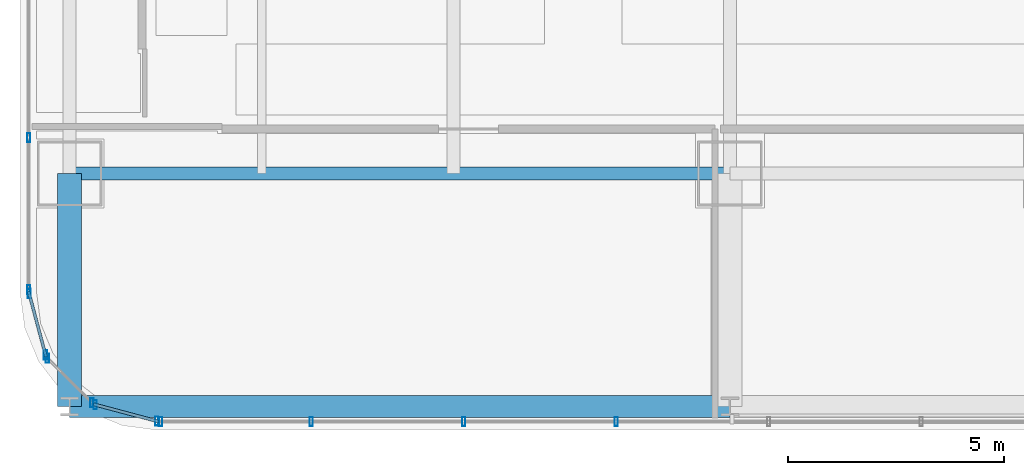
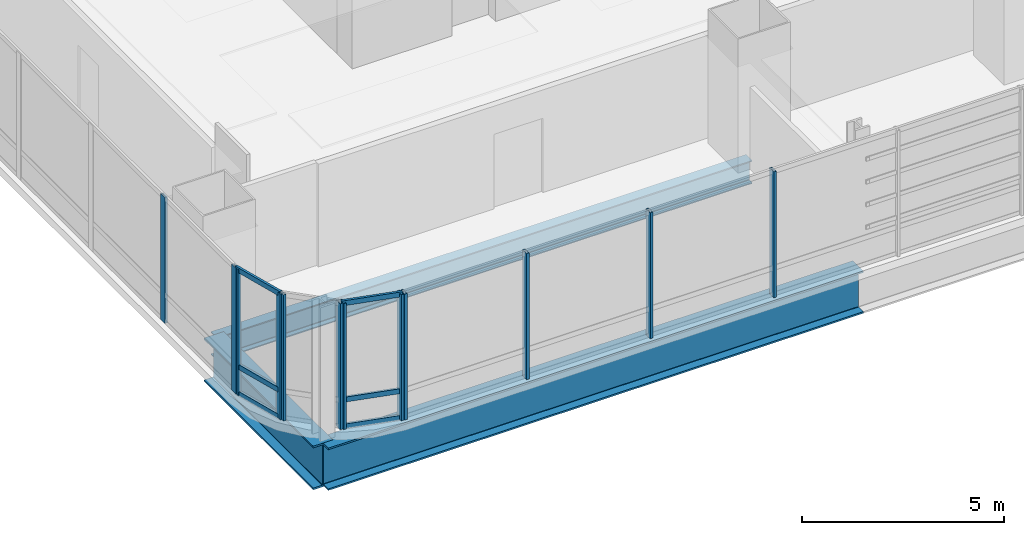
# One storey, part 2 of 35: 18 members, 3 beams, 5 elements without a shape of their own.
"""IFC4 building model written with IfcOpenShell, lengths in metres."""

from ifc_helpers import new_model, si_unit, direction, frame, origin, origin_2d, place, context, subcontext, project, spatial, hollow_rectangle, i_section, extrude, material, material_profile, profile_set, type_object, element, aggregate, save


model = new_model("IFC4")

# Units and contexts
model_context = context("Model", 3, precision=1e-05, world=origin(), true_north=direction((0.0, 1.0)))
body_context = subcontext(model_context, "Body", "Model", "MODEL_VIEW")
ifc_project = project(units=[si_unit("LENGTHUNIT", "METRE"), si_unit("AREAUNIT", "SQUARE_METRE"), si_unit("VOLUMEUNIT", "CUBIC_METRE"), si_unit("PLANEANGLEUNIT", "RADIAN"), si_unit("MASSUNIT", "GRAM", prefix="KILO")], contexts=[model_context])

# Site, building, storey
site_placement = place(None, origin())
site = spatial("IfcSite", under=ifc_project, at=site_placement, CompositionType="ELEMENT")
building_placement = place(site_placement, origin())
building = spatial("IfcBuilding", under=site, at=building_placement, Name="Punatoya Terracotta Tower", CompositionType="ELEMENT")
storey_placement = place(building_placement, frame((0.0, 0.0, 68.699951171875)))
storey = spatial("IfcBuildingStorey", under=building, at=storey_placement, Name="L15", CompositionType="ELEMENT", Elevation=68.699951171875)

# Beams
ifc_material_1 = material(Name="Steel S355", Category="steel")
ifc_material_profile_1 = material_profile(ifc_material_1, i_section(OverallWidth=0.300048828125, OverallDepth=0.699951171875, WebThickness=0.01708984375, FlangeThickness=0.031982421875, FilletRadius=0.01806640625, at=origin_2d()))
ifc_profile_set_1 = profile_set([ifc_material_profile_1], Name="Steel S355")
beam_type_1 = type_object("IfcBeamType", Name="BM-PRI-700", PredefinedType="BEAM", material=ifc_profile_set_1)
beam_1_placement = place(storey_placement, frame((-19.10009765625, -17.5, -0.58984375), z_axis=(1.0, 0.0, 0.0), x_axis=(0.0, 1.0, 0.0)))
element("IfcBeam", 1, at=beam_1_placement, inside=storey, type_object=beam_type_1, Name="BM-L15-RG-S1", PredefinedType="BEAM", context=body_context, shape_type="SweptSolid", body=[
    extrude(i_section(OverallWidth=0.300048828125, OverallDepth=0.699951171875, WebThickness=0.01708984375, FlangeThickness=0.031982421875, FilletRadius=0.01806640625, at=origin_2d()), origin(), (0.0, 0.0, 1.0), 15.300048828125),
])
ifc_material_2 = material(Name="Steel S460", Category="steel")
ifc_material_profile_2 = material_profile(ifc_material_2, i_section(OverallWidth=0.56005859375, OverallDepth=1.320068359375, WebThickness=0.035888671875, FlangeThickness=0.054931640625, FilletRadius=0.01806640625, at=origin_2d()))
ifc_profile_set_2 = profile_set([ifc_material_profile_2], Name="Steel S460")
beam_type_2 = type_object("IfcBeamType", Name="BM-TG-BLK", PredefinedType="BEAM", material=ifc_profile_set_2)
beam_2_placement = place(storey_placement, frame((-19.10009765625, -22.89990234375, -0.89990234375), z_axis=(0.0, 1.0, 0.0), x_axis=(-1.0, 0.0, 0.0)))
element("IfcBeam", 2, at=beam_2_placement, inside=storey, type_object=beam_type_2, Name="BM-L15-CANT-S1", PredefinedType="BEAM", context=body_context, shape_type="SweptSolid", body=[
    extrude(i_section(OverallWidth=0.56005859375, OverallDepth=1.320068359375, WebThickness=0.035888671875, FlangeThickness=0.054931640625, FilletRadius=0.01806640625, at=origin_2d()), origin(), (0.0, 0.0, 1.0), 5.39990234375),
])
ifc_material_profile_3 = material_profile(ifc_material_2, i_section(OverallWidth=0.52001953125, OverallDepth=1.280029296875, WebThickness=0.031982421875, FlangeThickness=0.050048828125, FilletRadius=0.01806640625, at=origin_2d()))
ifc_profile_set_3 = profile_set([ifc_material_profile_3], Name="Steel S460")
beam_type_3 = type_object("IfcBeamType", Name="BM-TG-NCK", PredefinedType="BEAM", material=ifc_profile_set_3)
beam_3_placement = place(storey_placement, frame((-19.10009765625, -22.89990234375, -0.8798828125), z_axis=(1.0, 0.0, 0.0), x_axis=(0.0, 1.0, 0.0)))
element("IfcBeam", 3, at=beam_3_placement, inside=storey, type_object=beam_type_3, Name="BM-L15-PER-S1", PredefinedType="BEAM", context=body_context, shape_type="SweptSolid", body=[
    extrude(i_section(OverallWidth=0.52001953125, OverallDepth=1.280029296875, WebThickness=0.031982421875, FlangeThickness=0.050048828125, FilletRadius=0.01806640625, at=origin_2d()), origin(), (0.0, 0.0, 1.0), 15.300048828125),
])

# Curtain wall, members
ifc_material_3 = material(Name="Aluminium 6063-T6 + Double Low-E Glass", Category="aluminium")
curtain_wall_type = type_object("IfcCurtainWallType", Name="CW-M1", PredefinedType="NOTDEFINED", material=ifc_material_3)
curtain_wall_1_placement = place(storey_placement, origin())
curtain_wall_1 = element("IfcCurtainWall", 4, at=curtain_wall_1_placement, inside=storey, type_object=curtain_wall_type, Name="L15 Curtain Wall CW-L15-S01-1", PredefinedType="NOTDEFINED")
ifc_material_4 = material(Name="Aluminium 6063-T6", Category="aluminium")
ifc_material_profile_4 = material_profile(ifc_material_4, hollow_rectangle(XDim=0.074951171875, YDim=0.2099609375, WallThickness=0.00439453125, at=origin_2d()))
ifc_profile_set_4 = profile_set([ifc_material_profile_4], Name="Aluminium 6063-T6")
member_type_1 = type_object("IfcMemberType", Name="CW-MUL-M1", PredefinedType="MULLION", material=ifc_profile_set_4)
member_1_placement = place(storey_placement, frame((-16.991943359375, -23.25, 0.0), z_axis=(0.0, 0.0, 1.0), x_axis=(1.0, 0.0, 0.0)))
member_1 = element("IfcMember", 5, at=member_1_placement, type_object=member_type_1, Name="CW-L15-S01-1 Mullion 00", PredefinedType="MULLION", context=body_context, shape_type="SweptSolid", body=[
    extrude(hollow_rectangle(XDim=0.074951171875, YDim=0.2099609375, WallThickness=0.00439453125, at=origin_2d()), origin(), (0.0, 0.0, 1.0), 3.81005859375),
])
member_2_placement = place(storey_placement, frame((-13.5029296875, -23.25, 0.0), z_axis=(0.0, 0.0, 1.0), x_axis=(1.0, 0.0, 0.0)))
member_2 = element("IfcMember", 6, at=member_2_placement, type_object=member_type_1, Name="CW-L15-S01-1 Mullion 01", PredefinedType="MULLION", context=body_context, shape_type="SweptSolid", body=[
    extrude(hollow_rectangle(XDim=0.074951171875, YDim=0.2099609375, WallThickness=0.00439453125, at=origin_2d()), origin(), (0.0, 0.0, 1.0), 3.81005859375),
])
member_3_placement = place(storey_placement, frame((-9.968994140625, -23.25, 0.0), z_axis=(0.0, 0.0, 1.0), x_axis=(1.0, 0.0, 0.0)))
member_3 = element("IfcMember", 7, at=member_3_placement, type_object=member_type_1, Name="CW-L15-S01-1 Mullion 02", PredefinedType="MULLION", context=body_context, shape_type="SweptSolid", body=[
    extrude(hollow_rectangle(XDim=0.074951171875, YDim=0.2099609375, WallThickness=0.00439453125, at=origin_2d()), origin(), (0.0, 0.0, 1.0), 3.81005859375),
])
member_4_placement = place(storey_placement, frame((-6.43505859375, -23.25, 0.0), z_axis=(0.0, 0.0, 1.0), x_axis=(1.0, 0.0, 0.0)))
member_4 = element("IfcMember", 8, at=member_4_placement, type_object=member_type_1, Name="CW-L15-S01-1 Mullion 03", PredefinedType="MULLION", context=body_context, shape_type="SweptSolid", body=[
    extrude(hollow_rectangle(XDim=0.074951171875, YDim=0.2099609375, WallThickness=0.00439453125, at=origin_2d()), origin(), (0.0, 0.0, 1.0), 3.81005859375),
])
aggregate(curtain_wall_1, [member_1, member_2, member_3, member_4])

curtain_wall_2_placement = place(storey_placement, origin())
curtain_wall_2 = element("IfcCurtainWall", 9, at=curtain_wall_2_placement, inside=storey, type_object=curtain_wall_type, Name="L15 Curtain Wall CW-L15-W13-1", PredefinedType="NOTDEFINED")
member_5_placement = place(storey_placement, frame((-20.050048828125, -16.66943359375, 0.0), z_axis=(0.0, 0.0, 1.0), x_axis=(1.0, 0.0, 0.0)))
member_5 = element("IfcMember", 10, at=member_5_placement, type_object=member_type_1, Name="CW-L15-W13-1 Mullion 09", PredefinedType="MULLION", context=body_context, shape_type="SweptSolid", body=[
    extrude(hollow_rectangle(XDim=0.074951171875, YDim=0.2099609375, WallThickness=0.00439453125, at=origin_2d()), origin(), (0.0, 0.0, 1.0), 3.81005859375),
])
member_6_placement = place(storey_placement, frame((-20.050048828125, -20.19189453125, 0.0), z_axis=(0.0, 0.0, 1.0), x_axis=(1.0, 0.0, 0.0)))
member_6 = element("IfcMember", 11, at=member_6_placement, type_object=member_type_1, Name="CW-L15-W13-1 Mullion 10", PredefinedType="MULLION", context=body_context, shape_type="SweptSolid", body=[
    extrude(hollow_rectangle(XDim=0.074951171875, YDim=0.2099609375, WallThickness=0.00439453125, at=origin_2d()), origin(), (0.0, 0.0, 1.0), 3.81005859375),
])
aggregate(curtain_wall_2, [member_5, member_6])

curtain_wall_3_placement = place(storey_placement, origin())
curtain_wall_3 = element("IfcCurtainWall", 12, at=curtain_wall_3_placement, inside=storey, type_object=curtain_wall_type, Name="L15 Curtain Wall CW-L15-CRN14", PredefinedType="NOTDEFINED")
member_7_placement = place(storey_placement, frame((-20.038330078125, -20.280517578125, 0.0), z_axis=(0.0, 0.0, 1.0), x_axis=(1.0, 0.0, 0.0)))
member_7 = element("IfcMember", 13, at=member_7_placement, type_object=member_type_1, Name="CW-L15-CRN14 Mullion 00", PredefinedType="MULLION", context=body_context, shape_type="SweptSolid", body=[
    extrude(hollow_rectangle(XDim=0.074951171875, YDim=0.2099609375, WallThickness=0.00439453125, at=origin_2d()), origin(), (0.0, 0.0, 1.0), 3.81005859375),
])
member_8_placement = place(storey_placement, frame((-19.658203125, -21.70556640625, 0.0), z_axis=(0.0, 0.0, 1.0), x_axis=(1.0, 0.0, 0.0)))
member_8 = element("IfcMember", 14, at=member_8_placement, type_object=member_type_1, Name="CW-L15-CRN14 Mullion 01", PredefinedType="MULLION", context=body_context, shape_type="SweptSolid", body=[
    extrude(hollow_rectangle(XDim=0.074951171875, YDim=0.2099609375, WallThickness=0.00439453125, at=origin_2d()), origin(), (0.0, 0.0, 1.0), 3.81005859375),
])

curtain_wall_4_placement = place(storey_placement, origin())
curtain_wall_4 = element("IfcCurtainWall", 15, at=curtain_wall_4_placement, inside=storey, type_object=curtain_wall_type, Name="L15 Curtain Wall CW-L15-CRN15", PredefinedType="NOTDEFINED")
member_9_placement = place(storey_placement, frame((-19.61474609375, -21.781005859375, 0.0), z_axis=(0.0, 0.0, 1.0), x_axis=(1.0, 0.0, 0.0)))
member_9 = element("IfcMember", 16, at=member_9_placement, type_object=member_type_1, Name="CW-L15-CRN15 Mullion 00", PredefinedType="MULLION", context=body_context, shape_type="SweptSolid", body=[
    extrude(hollow_rectangle(XDim=0.074951171875, YDim=0.2099609375, WallThickness=0.00439453125, at=origin_2d()), origin(), (0.0, 0.0, 1.0), 3.81005859375),
])
member_10_placement = place(storey_placement, frame((-18.580810546875, -22.814697265625, 0.0), z_axis=(0.0, 0.0, 1.0), x_axis=(1.0, 0.0, 0.0)))
member_10 = element("IfcMember", 17, at=member_10_placement, type_object=member_type_1, Name="CW-L15-CRN15 Mullion 01", PredefinedType="MULLION", context=body_context, shape_type="SweptSolid", body=[
    extrude(hollow_rectangle(XDim=0.074951171875, YDim=0.2099609375, WallThickness=0.00439453125, at=origin_2d()), origin(), (0.0, 0.0, 1.0), 3.81005859375),
])
aggregate(curtain_wall_4, [member_9, member_10])

curtain_wall_5_placement = place(storey_placement, origin())
curtain_wall_5 = element("IfcCurtainWall", 18, at=curtain_wall_5_placement, inside=storey, type_object=curtain_wall_type, Name="L15 Curtain Wall CW-L15-CRN16", PredefinedType="NOTDEFINED")
member_11_placement = place(storey_placement, frame((-18.505615234375, -22.858154296875, 0.0), z_axis=(0.0, 0.0, 1.0), x_axis=(1.0, 0.0, 0.0)))
member_11 = element("IfcMember", 19, at=member_11_placement, type_object=member_type_1, Name="CW-L15-CRN16 Mullion 00", PredefinedType="MULLION", context=body_context, shape_type="SweptSolid", body=[
    extrude(hollow_rectangle(XDim=0.074951171875, YDim=0.2099609375, WallThickness=0.00439453125, at=origin_2d()), origin(), (0.0, 0.0, 1.0), 3.81005859375),
])
member_12_placement = place(storey_placement, frame((-17.080322265625, -23.23828125, 0.0), z_axis=(0.0, 0.0, 1.0), x_axis=(1.0, 0.0, 0.0)))
member_12 = element("IfcMember", 20, at=member_12_placement, type_object=member_type_1, Name="CW-L15-CRN16 Mullion 01", PredefinedType="MULLION", context=body_context, shape_type="SweptSolid", body=[
    extrude(hollow_rectangle(XDim=0.074951171875, YDim=0.2099609375, WallThickness=0.00439453125, at=origin_2d()), origin(), (0.0, 0.0, 1.0), 3.81005859375),
])

# Member
ifc_material_profile_5 = material_profile(ifc_material_4, hollow_rectangle(XDim=0.068115234375, YDim=0.14990234375, WallThickness=0.00390625, at=origin_2d()))
ifc_profile_set_5 = profile_set([ifc_material_profile_5], Name="Aluminium 6063-T6")
member_type_2 = type_object("IfcMemberType", Name="CW-TRN-TYP", PredefinedType="USERDEFINED", material=ifc_profile_set_5)
member_13_placement = place(storey_placement, frame((-20.050048828125, -20.23681640625, 0.0400390625), z_axis=(0.257847112249, -0.966185730957, 0.0), x_axis=(0.966185730957, 0.257847112249, 0.0)))
member_13 = element("IfcMember", 21, at=member_13_placement, type_object=member_type_2, Name="CW-L15-CRN14 Transom 1", ObjectType="TRANSOM", PredefinedType="USERDEFINED", context=body_context, shape_type="SweptSolid", body=[
    extrude(hollow_rectangle(XDim=0.068115234375, YDim=0.14990234375, WallThickness=0.00390625, at=origin_2d()), origin(), (0.0, 0.0, 1.0), 1.565185546875),
])

member_14_placement = place(storey_placement, frame((-20.050048828125, -20.23681640625, 0.85009765625), z_axis=(0.257847112249, -0.966185730957, 0.0), x_axis=(0.966185730957, 0.257847112249, 0.0)))
member_14 = element("IfcMember", 22, at=member_14_placement, type_object=member_type_2, Name="CW-L15-CRN14 Transom 2", ObjectType="TRANSOM", PredefinedType="USERDEFINED", context=body_context, shape_type="SweptSolid", body=[
    extrude(hollow_rectangle(XDim=0.068115234375, YDim=0.14990234375, WallThickness=0.00390625, at=origin_2d()), origin(), (0.0, 0.0, 1.0), 1.565185546875),
])

member_15_placement = place(storey_placement, frame((-20.050048828125, -20.23681640625, 3.77001953125), z_axis=(0.257847112249, -0.966185730957, 0.0), x_axis=(0.966185730957, 0.257847112249, 0.0)))
member_15 = element("IfcMember", 23, at=member_15_placement, type_object=member_type_2, Name="CW-L15-CRN14 Transom 3", ObjectType="TRANSOM", PredefinedType="USERDEFINED", context=body_context, shape_type="SweptSolid", body=[
    extrude(hollow_rectangle(XDim=0.068115234375, YDim=0.14990234375, WallThickness=0.00390625, at=origin_2d()), origin(), (0.0, 0.0, 1.0), 1.565185546875),
])

aggregate(curtain_wall_3, [member_7, member_8, member_13, member_14, member_15])

member_16_placement = place(storey_placement, frame((-18.549072265625, -22.8466796875, 0.0400390625), z_axis=(0.966224582397, -0.257701486942, 0.0), x_axis=(0.257701486942, 0.966224582397, 0.0)))
member_16 = element("IfcMember", 24, at=member_16_placement, type_object=member_type_2, Name="CW-L15-CRN16 Transom 1", ObjectType="TRANSOM", PredefinedType="USERDEFINED", context=body_context, shape_type="SweptSolid", body=[
    extrude(hollow_rectangle(XDim=0.068115234375, YDim=0.14990234375, WallThickness=0.00390625, at=origin_2d()), origin(), (0.0, 0.0, 1.0), 1.565185546875),
])

member_17_placement = place(storey_placement, frame((-18.549072265625, -22.8466796875, 0.85009765625), z_axis=(0.966224582397, -0.257701486942, 0.0), x_axis=(0.257701486942, 0.966224582397, 0.0)))
member_17 = element("IfcMember", 25, at=member_17_placement, type_object=member_type_2, Name="CW-L15-CRN16 Transom 2", ObjectType="TRANSOM", PredefinedType="USERDEFINED", context=body_context, shape_type="SweptSolid", body=[
    extrude(hollow_rectangle(XDim=0.068115234375, YDim=0.14990234375, WallThickness=0.00390625, at=origin_2d()), origin(), (0.0, 0.0, 1.0), 1.565185546875),
])

member_18_placement = place(storey_placement, frame((-18.549072265625, -22.8466796875, 3.77001953125), z_axis=(0.966224582397, -0.257701486942, 0.0), x_axis=(0.257701486942, 0.966224582397, 0.0)))
member_18 = element("IfcMember", 26, at=member_18_placement, type_object=member_type_2, Name="CW-L15-CRN16 Transom 3", ObjectType="TRANSOM", PredefinedType="USERDEFINED", context=body_context, shape_type="SweptSolid", body=[
    extrude(hollow_rectangle(XDim=0.068115234375, YDim=0.14990234375, WallThickness=0.00390625, at=origin_2d()), origin(), (0.0, 0.0, 1.0), 1.565185546875),
])

aggregate(curtain_wall_5, [member_11, member_12, member_16, member_17, member_18])

save(model, "model.ifc")
